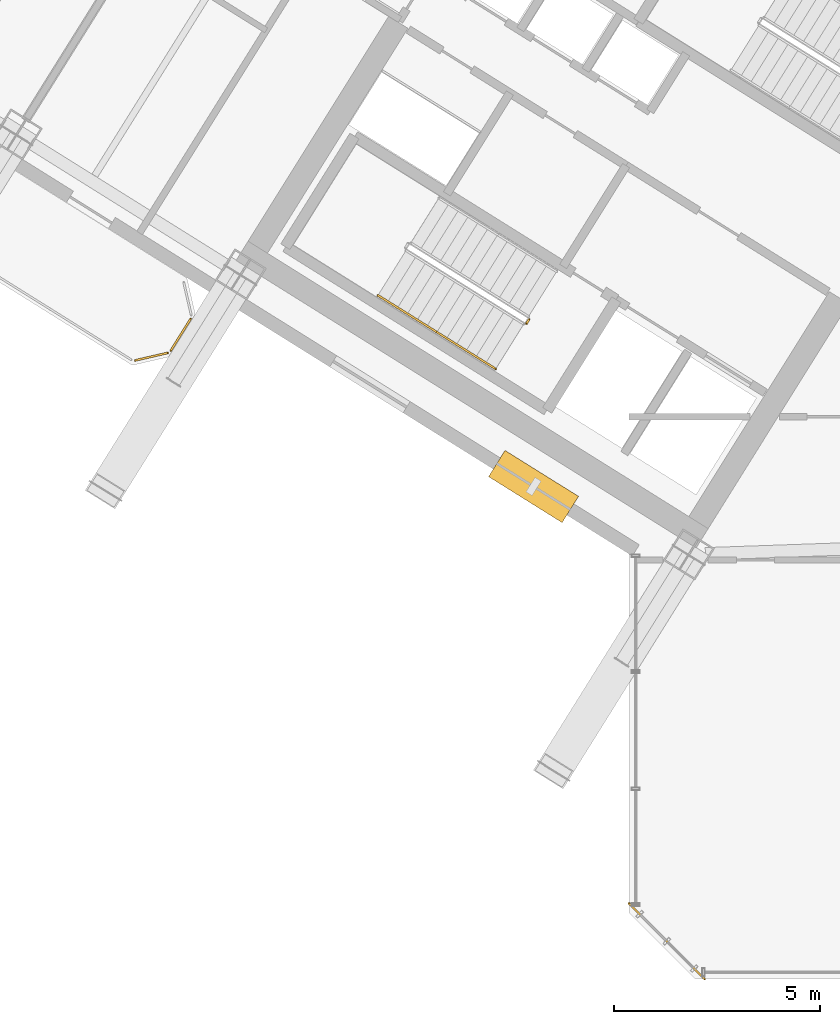
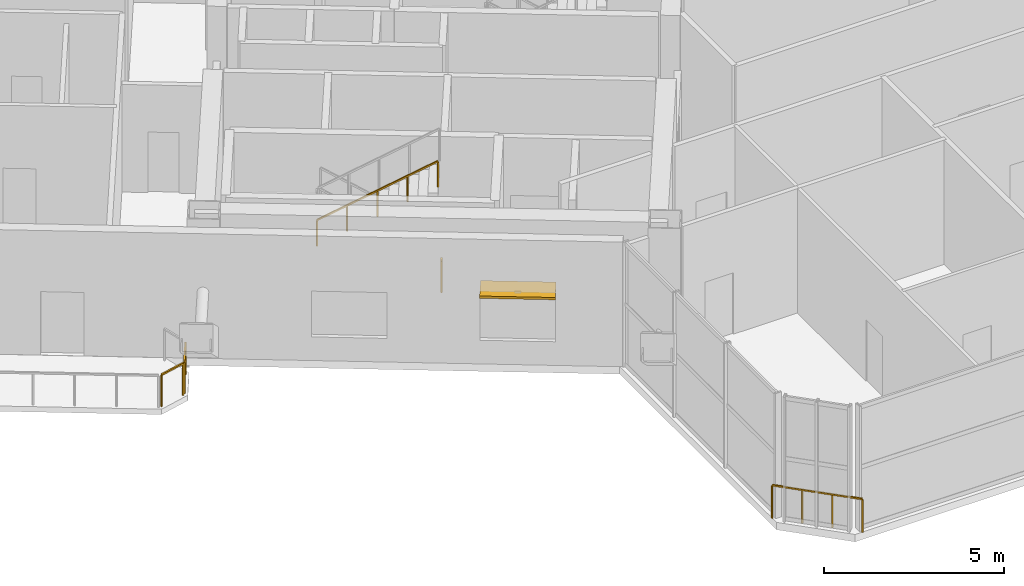
# One storey, part 27 of 32: 6 railings, 1 shading device.
"""IFC4 building model written with IfcOpenShell, lengths in metres."""

from ifc_helpers import new_model, si_unit, direction, frame, origin, origin_2d, place, context, subcontext, project, spatial, rectangle, extrude, source, transform, mapped, material, layer, layer_set, type_object, element, save


model = new_model("IFC4")

# Units and contexts
model_context = context("Model", 3, precision=1e-05, world=origin(), true_north=direction((0.0, 1.0)))
body_context = subcontext(model_context, "Body", "Model", "MODEL_VIEW")
ifc_project = project(units=[si_unit("LENGTHUNIT", "METRE"), si_unit("AREAUNIT", "SQUARE_METRE"), si_unit("VOLUMEUNIT", "CUBIC_METRE"), si_unit("PLANEANGLEUNIT", "RADIAN"), si_unit("MASSUNIT", "GRAM", prefix="KILO")], contexts=[model_context])

# Site, building, storey
site_placement = place(None, origin())
site = spatial("IfcSite", under=ifc_project, at=site_placement, CompositionType="ELEMENT")
building_placement = place(site_placement, origin())
building = spatial("IfcBuilding", under=site, at=building_placement, Name="Tlacorven Tower", CompositionType="ELEMENT")
storey_placement = place(building_placement, frame((0.0, 0.0, 123.300048828125)))
storey = spatial("IfcBuildingStorey", under=building, at=storey_placement, Name="L31", CompositionType="ELEMENT", Elevation=123.300048828125)

# Railings
ifc_material_1 = material(Name="Aluminium and painted steel balustrade", Category="steel")
railing_type_1 = type_object("IfcRailingType", Name="RL-BAL-1100", PredefinedType="BALUSTRADE", material=ifc_material_1)
shared_shape_1 = source(origin(), body_context, "Body", "SweptSolid", [
    extrude(rectangle(XDim=0.048095703125, YDim=0.048095703125, at=origin_2d()), frame((0.0, 0.0, 1.076171875), z_axis=(-0.52987865805, -0.848073468364, 0.0), x_axis=(0.848073468364, -0.52987865805, 0.0)), (0.0, 0.0, 1.0), 0.912353515625),
    extrude(rectangle(XDim=0.0419921875, YDim=0.0419921875, at=origin_2d()), origin(), (0.0, 0.0, 1.0), 1.052001953125),
    extrude(rectangle(XDim=0.0419921875, YDim=0.0419921875, at=origin_2d()), frame((-0.4833984375, -0.773681640625, 0.0)), (0.0, 0.0, 1.0), 1.052001953125),
])
railing_1_placement = place(storey_placement, frame((20.976318359375, 17.793701171875, 0.0)))
element("IfcRailing", 1, at=railing_1_placement, inside=storey, type_object=railing_type_1, Name="BAL-L31-W-OUT Guard Railing 2", PredefinedType="BALUSTRADE", context=body_context, shape_type="MappedRepresentation", body=[
    mapped(shared_shape_1, transform((0.0, 0.0, 0.0), scale=1.0)),
])
shared_shape_2 = source(origin(), body_context, "Body", "SweptSolid", [
    extrude(rectangle(XDim=0.048095703125, YDim=0.048095703125, at=origin_2d()), frame((0.0, 0.0, 1.076171875), z_axis=(-0.974345290916, -0.225058334816, 0.0), x_axis=(0.225058334816, -0.974345290916, 0.0)), (0.0, 0.0, 1.0), 0.80712890625),
    extrude(rectangle(XDim=0.0419921875, YDim=0.0419921875, at=origin_2d()), origin(), (0.0, 0.0, 1.0), 1.052001953125),
    extrude(rectangle(XDim=0.0419921875, YDim=0.0419921875, at=origin_2d()), frame((-0.786376953125, -0.181640625, 0.0)), (0.0, 0.0, 1.0), 1.052001953125),
])
railing_2_placement = place(storey_placement, frame((20.417724609375, 16.966552734375, 0.0)))
element("IfcRailing", 2, at=railing_2_placement, inside=storey, type_object=railing_type_1, Name="BAL-L31-W-OUT Guard Railing 3", PredefinedType="BALUSTRADE", context=body_context, shape_type="MappedRepresentation", body=[
    mapped(shared_shape_2, transform((0.0, 0.0, 0.0), scale=1.0)),
])
railing_type_2 = type_object("IfcRailingType", Name="RL-GRD-1150", PredefinedType="GUARDRAIL", material=ifc_material_1)
shared_shape_3 = source(origin(), body_context, "Body", "SweptSolid", [
    extrude(rectangle(XDim=0.048095703125, YDim=0.048095703125, at=origin_2d()), frame((0.0, 0.0, 1.1259765625), z_axis=(-0.707106781187, 0.707106781187, 0.0), x_axis=(-0.707106781187, -0.707106781187, 0.0)), (0.0, 0.0, 1.0), 2.590087890625),
    extrude(rectangle(XDim=0.0419921875, YDim=0.0419921875, at=origin_2d()), origin(), (0.0, 0.0, 1.0), 1.101806640625),
    extrude(rectangle(XDim=0.0419921875, YDim=0.0419921875, at=origin_2d()), frame((-0.610595703125, 0.610595703125, 0.0)), (0.0, 0.0, 1.0), 1.101806640625),
    extrude(rectangle(XDim=0.0419921875, YDim=0.0419921875, at=origin_2d()), frame((-1.220947265625, 1.220947265625, 0.0)), (0.0, 0.0, 1.0), 1.101806640625),
    extrude(rectangle(XDim=0.0419921875, YDim=0.0419921875, at=origin_2d()), frame((-1.83154296875, 1.83154296875, 0.0)), (0.0, 0.0, 1.0), 1.101806640625),
])
railing_3_placement = place(storey_placement, frame((33.428955078125, 1.79736328125, 0.0)))
element("IfcRailing", 3, at=railing_3_placement, inside=storey, type_object=railing_type_2, Name="L31 Knuckle Glazed Sill Guard 1", PredefinedType="GUARDRAIL", context=body_context, shape_type="MappedRepresentation", body=[
    mapped(shared_shape_3, transform((0.0, 0.0, 0.0), scale=1.0)),
])

# Shading device
ifc_material_2 = material(Name="Anodised bronze aluminium sunshade", Category="aluminium")
ifc_layer = layer(ifc_material_2, 0.080078125)
ifc_layer_set = layer_set([ifc_layer], Name="Anodised bronze aluminium sunshade")
shading_device_type = type_object("IfcShadingDeviceType", Name="SH-SUN-BRZ", PredefinedType="AWNING", material=ifc_layer_set)
shared_shape_4 = source(origin(), body_context, "Body", "SweptSolid", [
    extrude(rectangle(XDim=2.10009765625, YDim=0.75, at=origin_2d()), origin(), (0.0, 0.0, 1.0), 0.080078125),
])
shading_device_placement = place(storey_placement, frame((29.282958984375, 13.73095703125, 2.369873046875), z_axis=(0.0, 0.0, 1.0), x_axis=(-0.848048152806, 0.529919173576, 0.0)))
element("IfcShadingDevice", 4, at=shading_device_placement, inside=storey, type_object=shading_device_type, Name="L31 Solar Brise-Soleil Sunshade L31-01.1", PredefinedType="AWNING", context=body_context, shape_type="MappedRepresentation", body=[
    mapped(shared_shape_4, transform((0.0, 0.0, 0.0), scale=1.0)),
])

# Railings
railing_type_3 = type_object("IfcRailingType", Name="RL-GRD-1100", PredefinedType="GUARDRAIL", material=ifc_material_1)
shared_shape_5 = source(origin(), body_context, "Body", "SweptSolid", [
    extrude(rectangle(XDim=0.048095703125, YDim=0.048095703125, at=origin_2d()), frame((0.0, 0.0, 1.076171875), z_axis=(-0.529084052582, -0.848569422795, 0.0), x_axis=(0.848569422795, -0.529084052582, 0.0)), (0.0, 0.0, 1.0), 0.119873046875),
    extrude(rectangle(XDim=0.0419921875, YDim=0.0419921875, at=origin_2d()), origin(), (0.0, 0.0, 1.0), 1.052001953125),
    extrude(rectangle(XDim=0.0419921875, YDim=0.0419921875, at=origin_2d()), frame((-0.0634765625, -0.101806640625, 0.0)), (0.0, 0.0, 1.0), 1.052001953125),
])
railing_4_placement = place(storey_placement, frame((29.176513671875, 17.782958984375, 0.0)))
element("IfcRailing", 5, at=railing_4_placement, inside=storey, type_object=railing_type_3, Name="L31 ST-W1 stair guard 4", PredefinedType="GUARDRAIL", context=body_context, shape_type="MappedRepresentation", body=[
    mapped(shared_shape_5, transform((0.0, 0.0, 0.0), scale=1.0)),
])
railing_type_4 = type_object("IfcRailingType", Name="RL-HND-0900", PredefinedType="HANDRAIL", material=ifc_material_1)
shared_shape_6 = source(origin(), body_context, "Body", "SweptSolid", [
    extrude(rectangle(XDim=0.048095703125, YDim=0.048095703125, at=origin_2d()), frame((0.0, 0.0, 0.8759765625), z_axis=(0.721387654753, -0.450805479247, 0.525713107551), x_axis=(0.529946692594, 0.848030956397, 0.0)), (0.0, 0.0, 1.0), 1.97509765625),
    extrude(rectangle(XDim=0.0419921875, YDim=0.0419921875, at=origin_2d()), origin(), (0.0, 0.0, 1.0), 0.851806640625),
    extrude(rectangle(XDim=0.0419921875, YDim=0.0419921875, at=origin_2d()), frame((0.71240234375, -0.4453125, 0.51904296875)), (0.0, 0.0, 1.0), 0.851806640625),
    extrude(rectangle(XDim=0.0419921875, YDim=0.0419921875, at=origin_2d()), frame((1.4248046875, -0.890380859375, 1.038330078125)), (0.0, 0.0, 1.0), 0.851806640625),
])
railing_5_placement = place(storey_placement, frame((25.516357421875, 18.3603515625, 2.423095703125)))
element("IfcRailing", 6, at=railing_5_placement, inside=storey, type_object=railing_type_4, Name="L31 ST-W1 stair handrail 3", PredefinedType="HANDRAIL", context=body_context, shape_type="MappedRepresentation", body=[
    mapped(shared_shape_6, transform((0.0, 0.0, 0.0), scale=1.0)),
])
shared_shape_7 = source(origin(), body_context, "Body", "SweptSolid", [
    extrude(rectangle(XDim=0.048095703125, YDim=0.048095703125, at=origin_2d()), frame((0.0, 0.0, 0.8759765625), z_axis=(0.721321672373, -0.450717877887, 0.52587873081), x_axis=(0.529907487405, 0.848055455022, 0.0)), (0.0, 0.0, 1.0), 1.974853515625),
    extrude(rectangle(XDim=0.0419921875, YDim=0.0419921875, at=origin_2d()), origin(), (0.0, 0.0, 1.0), 0.851806640625),
    extrude(rectangle(XDim=0.0419921875, YDim=0.0419921875, at=origin_2d()), frame((0.71240234375, -0.445068359375, 0.519287109375)), (0.0, 0.0, 1.0), 0.851806640625),
    extrude(rectangle(XDim=0.0419921875, YDim=0.0419921875, at=origin_2d()), frame((1.424560546875, -0.89013671875, 1.03857421875)), (0.0, 0.0, 1.0), 0.851806640625),
])
railing_6_placement = place(storey_placement, frame((26.941162109375, 17.469970703125, 3.46142578125)))
element("IfcRailing", 7, at=railing_6_placement, inside=storey, type_object=railing_type_4, Name="L31 ST-W1 stair handrail 4", PredefinedType="HANDRAIL", context=body_context, shape_type="MappedRepresentation", body=[
    mapped(shared_shape_7, transform((0.0, 0.0, 0.0), scale=1.0)),
])

save(model, "model.ifc")
